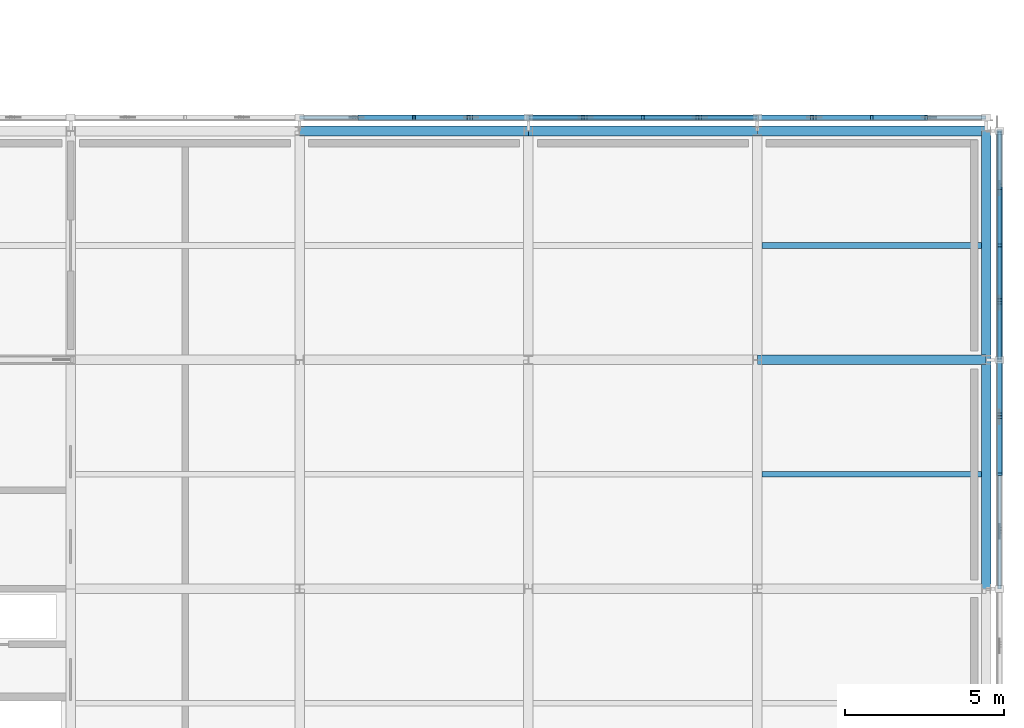
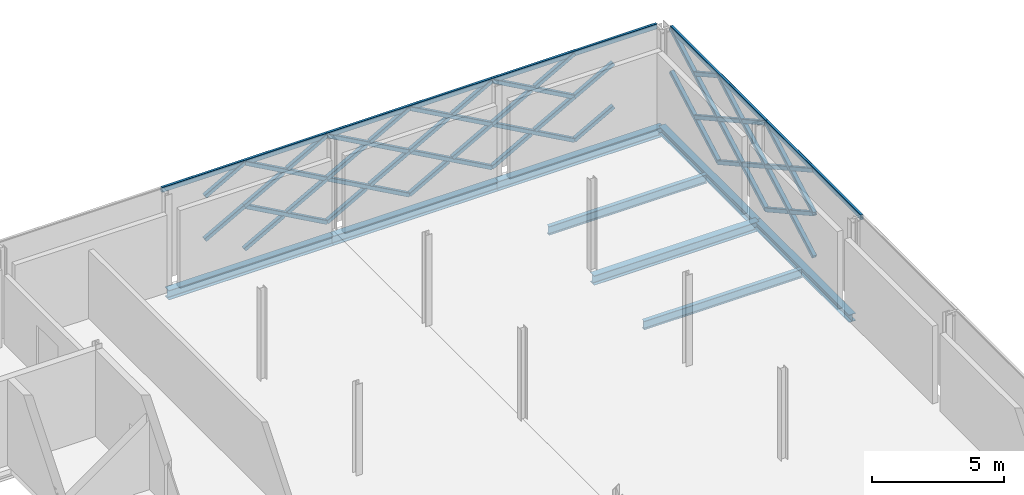
# One storey, part 79 of 146: 49 members, 8 beams.
"""IFC4 building model written with IfcOpenShell, lengths in metres."""

from ifc_helpers import new_model, si_unit, direction, frame, origin, origin_2d, place, context, subcontext, project, spatial, hollow_rectangle, i_section, extrude, material, material_profile, profile_set, type_object, element, save


model = new_model("IFC4")

# Units and contexts
model_context = context("Model", 3, precision=1e-05, world=origin(), true_north=direction((0.0, 1.0)))
body_context = subcontext(model_context, "Body", "Model", "MODEL_VIEW")
ifc_project = project(units=[si_unit("LENGTHUNIT", "METRE"), si_unit("AREAUNIT", "SQUARE_METRE"), si_unit("VOLUMEUNIT", "CUBIC_METRE"), si_unit("PLANEANGLEUNIT", "RADIAN"), si_unit("MASSUNIT", "GRAM", prefix="KILO")], contexts=[model_context])

# Site, building, storey
site_placement = place(None, origin())
site = spatial("IfcSite", under=ifc_project, at=site_placement, CompositionType="ELEMENT")
building_placement = place(site_placement, origin())
building = spatial("IfcBuilding", under=site, at=building_placement, Name="Zlatovets Crest Museum", CompositionType="ELEMENT")
storey_placement = place(building_placement, frame((0.0, 0.0, 4.5)))
storey = spatial("IfcBuildingStorey", under=building, at=storey_placement, Name="L01", CompositionType="ELEMENT", Elevation=4.5)

# Beams
ifc_material_1 = material(Name="Structural steel S355J2", Category="steel")
ifc_material_profile_1 = material_profile(ifc_material_1, i_section(OverallWidth=0.300048828125, OverallDepth=0.35009765625, WebThickness=0.010009765625, FlangeThickness=0.017578125, FilletRadius=0.027099609375, at=origin_2d()), Name="HEA 360")
ifc_profile_set_1 = profile_set([ifc_material_profile_1], Name="Structural steel S355J2")
beam_type_1 = type_object("IfcBeamType", Name="Beam_B-03", PredefinedType="BEAM", material=ifc_profile_set_1)
beam_1_placement = place(storey_placement, frame((165.60009765625, 86.39990234375, -0.39501953125), z_axis=(0.0, 1.0, 0.0), x_axis=(-1.0, 0.0, 0.0)))
element("IfcBeam", 1, at=beam_1_placement, inside=storey, type_object=beam_type_1, Name="V5 L01 Grid Beam B-03", PredefinedType="BEAM", context=body_context, shape_type="SweptSolid", body=[
    extrude(i_section(OverallWidth=0.300048828125, OverallDepth=0.35009765625, WebThickness=0.010009765625, FlangeThickness=0.017578125, FilletRadius=0.027099609375, at=origin_2d()), origin(), (0.0, 0.0, 1.0), 7.2001953125),
])
beam_2_placement = place(storey_placement, frame((165.60009765625, 93.60009765625, -0.39501953125), z_axis=(0.0, 1.0, 0.0), x_axis=(-1.0, 0.0, 0.0)))
element("IfcBeam", 2, at=beam_2_placement, inside=storey, type_object=beam_type_1, Name="V5 L01 Grid Beam B-03", PredefinedType="BEAM", context=body_context, shape_type="SweptSolid", body=[
    extrude(i_section(OverallWidth=0.300048828125, OverallDepth=0.35009765625, WebThickness=0.010009765625, FlangeThickness=0.017578125, FilletRadius=0.027099609375, at=origin_2d()), origin(), (0.0, 0.0, 1.0), 7.199951171875),
])
ifc_material_profile_2 = material_profile(ifc_material_1, i_section(OverallWidth=0.300048828125, OverallDepth=0.43994140625, WebThickness=0.011474609375, FlangeThickness=0.02099609375, FilletRadius=0.027099609375, at=origin_2d()), Name="HEA 450")
ifc_profile_set_2 = profile_set([ifc_material_profile_2], Name="Structural steel S355J2")
beam_type_2 = type_object("IfcBeamType", Name="Beam_B-10", PredefinedType="BEAM", material=ifc_profile_set_2)
beam_3_placement = place(storey_placement, frame((158.39990234375, 93.60009765625, -0.43994140625), z_axis=(1.0, 0.0, 0.0), x_axis=(0.0, 1.0, 0.0)))
element("IfcBeam", 3, at=beam_3_placement, inside=storey, type_object=beam_type_2, Name="V5 L01 Primary Girder B-10", PredefinedType="BEAM", context=body_context, shape_type="SweptSolid", body=[
    extrude(i_section(OverallWidth=0.300048828125, OverallDepth=0.43994140625, WebThickness=0.011474609375, FlangeThickness=0.02099609375, FilletRadius=0.027099609375, at=origin_2d()), origin(), (0.0, 0.0, 1.0), 7.2001953125),
])
for number, where, z_axis, x_axis, name in (
    (4, (144.0, 100.800048828125, -0.43994140625), (1.0, 0.0, 0.0), (0.0, 1.0, 0.0), "V5 L01 Primary Girder B-10"),
    (5, (151.199951171875, 100.800048828125, -0.43994140625), (1.0, 0.0, 0.0), (0.0, 1.0, 0.0), "V5 L01 Primary Girder B-10"),
):
    element("IfcBeam", number, at=place(storey_placement, frame(where, z_axis=z_axis, x_axis=x_axis)), inside=storey, type_object=beam_type_2, Name=name, PredefinedType="BEAM", context=body_context, shape_type="SweptSolid", body=[
        extrude(i_section(OverallWidth=0.300048828125, OverallDepth=0.43994140625, WebThickness=0.011474609375, FlangeThickness=0.02099609375, FilletRadius=0.027099609375, at=origin_2d()), origin(), (0.0, 0.0, 1.0), 7.199951171875),
    ])
beam_4_placement = place(storey_placement, frame((158.39990234375, 100.800048828125, -0.43994140625), z_axis=(1.0, 0.0, 0.0), x_axis=(0.0, 1.0, 0.0)))
element("IfcBeam", 6, at=beam_4_placement, inside=storey, type_object=beam_type_2, Name="V5 L01 Primary Girder B-10", PredefinedType="BEAM", context=body_context, shape_type="SweptSolid", body=[
    extrude(i_section(OverallWidth=0.300048828125, OverallDepth=0.43994140625, WebThickness=0.011474609375, FlangeThickness=0.02099609375, FilletRadius=0.027099609375, at=origin_2d()), origin(), (0.0, 0.0, 1.0), 7.2001953125),
])
ifc_material_profile_3 = material_profile(ifc_material_1, i_section(OverallWidth=0.179931640625, OverallDepth=0.39990234375, WebThickness=0.008544921875, FlangeThickness=0.013427734375, FilletRadius=0.02099609375, at=origin_2d()), Name="IPE 400")
ifc_profile_set_3 = profile_set([ifc_material_profile_3], Name="Structural steel S355J2")
beam_type_3 = type_object("IfcBeamType", Name="Beam_J-04", PredefinedType="JOIST", material=ifc_profile_set_3)
for number, where, z_axis, x_axis, name in (
    (7, (158.550048828125, 90.0, -0.419921875), (1.0, 0.0, 0.0), (0.0, 1.0, 0.0), "V5 L01 Composite Joist J-04"),
    (8, (158.550048828125, 97.199951171875, -0.419921875), (1.0, 0.0, 0.0), (0.0, 1.0, 0.0), "V5 L01 Composite Joist J-04"),
):
    element("IfcBeam", number, at=place(storey_placement, frame(where, z_axis=z_axis, x_axis=x_axis)), inside=storey, type_object=beam_type_3, Name=name, PredefinedType="JOIST", context=body_context, shape_type="SweptSolid", body=[
        extrude(i_section(OverallWidth=0.179931640625, OverallDepth=0.39990234375, WebThickness=0.008544921875, FlangeThickness=0.013427734375, FilletRadius=0.02099609375, at=origin_2d()), origin(), (0.0, 0.0, 1.0), 6.89990234375),
    ])

# Members
ifc_material_2 = material(Name="Weathering bronze-steel S355J2W", Category="steel")
ifc_material_profile_4 = material_profile(ifc_material_2, hollow_rectangle(XDim=0.179931640625, YDim=0.179931640625, WallThickness=0.010009765625, InnerFilletRadius=0.010009765625, OuterFilletRadius=0.02001953125, at=origin_2d()), Name="SHS 180x180x10.0")
ifc_profile_set_4 = profile_set([ifc_material_profile_4], Name="Weathering bronze-steel S355J2W")
member_type_1 = type_object("IfcMemberType", Name="Lattice_XL-01", PredefinedType="BRACE", material=ifc_profile_set_4)
member_1_placement = place(storey_placement, frame((166.02001953125, 90.0, 0.10009765625), z_axis=(0.0, 0.874162868644, 0.485632864501), x_axis=(-1.0, 0.0, 0.0)))
element("IfcMember", 9, at=member_1_placement, inside=storey, type_object=member_type_1, Name="Continuous Bronze Lattice Diagonal", PredefinedType="BRACE", context=body_context, shape_type="SweptSolid", body=[
    extrude(hollow_rectangle(XDim=0.179931640625, YDim=0.179931640625, WallThickness=0.010009765625, InnerFilletRadius=0.010009765625, OuterFilletRadius=0.02001953125, at=origin_2d()), origin(), (0.0, 0.0, 1.0), 4.118408203125),
])
member_2_placement = place(storey_placement, frame((166.02001953125, 90.0, 2.10009765625), z_axis=(0.0, 0.874116234569, -0.48571679862), x_axis=(-1.0, 0.0, 0.0)))
element("IfcMember", 10, at=member_2_placement, inside=storey, type_object=member_type_1, Name="Split Crossing Bronze Lattice Diagonal Upper", PredefinedType="BRACE", context=body_context, shape_type="SweptSolid", body=[
    extrude(hollow_rectangle(XDim=0.179931640625, YDim=0.179931640625, WallThickness=0.010009765625, InnerFilletRadius=0.010009765625, OuterFilletRadius=0.02001953125, at=origin_2d()), origin(), (0.0, 0.0, 1.0), 1.96435546875),
])
member_3_placement = place(storey_placement, frame((166.02001953125, 91.883056640625, 1.053955078125), z_axis=(0.0, 0.874169001841, -0.485621824284), x_axis=(-1.0, 0.0, 0.0)))
element("IfcMember", 11, at=member_3_placement, inside=storey, type_object=member_type_1, Name="Split Crossing Bronze Lattice Diagonal Lower", PredefinedType="BRACE", context=body_context, shape_type="SweptSolid", body=[
    extrude(hollow_rectangle(XDim=0.179931640625, YDim=0.179931640625, WallThickness=0.010009765625, InnerFilletRadius=0.010009765625, OuterFilletRadius=0.02001953125, at=origin_2d()), origin(), (0.0, 0.0, 1.0), 1.964111328125),
])
member_4_placement = place(storey_placement, frame((166.02001953125, 90.0, 2.10009765625), z_axis=(0.0, 0.874162868644, 0.485632864501), x_axis=(-1.0, 0.0, 0.0)))
element("IfcMember", 12, at=member_4_placement, inside=storey, type_object=member_type_1, Name="Continuous Bronze Lattice Diagonal", PredefinedType="BRACE", context=body_context, shape_type="SweptSolid", body=[
    extrude(hollow_rectangle(XDim=0.179931640625, YDim=0.179931640625, WallThickness=0.010009765625, InnerFilletRadius=0.010009765625, OuterFilletRadius=0.02001953125, at=origin_2d()), origin(), (0.0, 0.0, 1.0), 4.118408203125),
])
member_5_placement = place(storey_placement, frame((166.02001953125, 90.0, 4.10009765625), z_axis=(0.0, 0.874116234569, -0.48571679862), x_axis=(-1.0, 0.0, 0.0)))
element("IfcMember", 13, at=member_5_placement, inside=storey, type_object=member_type_1, Name="Split Crossing Bronze Lattice Diagonal Upper", PredefinedType="BRACE", context=body_context, shape_type="SweptSolid", body=[
    extrude(hollow_rectangle(XDim=0.179931640625, YDim=0.179931640625, WallThickness=0.010009765625, InnerFilletRadius=0.010009765625, OuterFilletRadius=0.02001953125, at=origin_2d()), origin(), (0.0, 0.0, 1.0), 1.96435546875),
])
member_6_placement = place(storey_placement, frame((166.02001953125, 91.883056640625, 3.053955078125), z_axis=(0.0, 0.874169001841, -0.485621824284), x_axis=(-1.0, 0.0, 0.0)))
element("IfcMember", 14, at=member_6_placement, inside=storey, type_object=member_type_1, Name="Split Crossing Bronze Lattice Diagonal Lower", PredefinedType="BRACE", context=body_context, shape_type="SweptSolid", body=[
    extrude(hollow_rectangle(XDim=0.179931640625, YDim=0.179931640625, WallThickness=0.010009765625, InnerFilletRadius=0.010009765625, OuterFilletRadius=0.02001953125, at=origin_2d()), origin(), (0.0, 0.0, 1.0), 1.964111328125),
])
member_7_placement = place(storey_placement, frame((166.02001953125, 93.60009765625, 0.10009765625), z_axis=(0.0, 0.874148886685, 0.485658031857), x_axis=(-1.0, 0.0, 0.0)))
element("IfcMember", 15, at=member_7_placement, inside=storey, type_object=member_type_1, Name="Continuous Bronze Lattice Diagonal", PredefinedType="BRACE", context=body_context, shape_type="SweptSolid", body=[
    extrude(hollow_rectangle(XDim=0.179931640625, YDim=0.179931640625, WallThickness=0.010009765625, InnerFilletRadius=0.010009765625, OuterFilletRadius=0.02001953125, at=origin_2d()), origin(), (0.0, 0.0, 1.0), 4.1181640625),
])
for number, where, z_axis, x_axis, name in (
    (16, (166.02001953125, 93.60009765625, 2.10009765625), (0.0, 0.874086907708, -0.485769572713), (-1.0, 0.0, 0.0), "Split Crossing Bronze Lattice Diagonal Upper"),
    (17, (166.02001953125, 95.48291015625, 1.053955078125), (0.0, 0.874169001841, -0.485621824284), (-1.0, 0.0, 0.0), "Split Crossing Bronze Lattice Diagonal Lower"),
):
    element("IfcMember", number, at=place(storey_placement, frame(where, z_axis=z_axis, x_axis=x_axis)), inside=storey, type_object=member_type_1, Name=name, PredefinedType="BRACE", context=body_context, shape_type="SweptSolid", body=[
        extrude(hollow_rectangle(XDim=0.179931640625, YDim=0.179931640625, WallThickness=0.010009765625, InnerFilletRadius=0.010009765625, OuterFilletRadius=0.02001953125, at=origin_2d()), origin(), (0.0, 0.0, 1.0), 1.964111328125),
    ])
member_8_placement = place(storey_placement, frame((166.02001953125, 97.199951171875, 0.10009765625), z_axis=(0.0, 0.874162868644, 0.485632864501), x_axis=(-1.0, 0.0, 0.0)))
element("IfcMember", 18, at=member_8_placement, inside=storey, type_object=member_type_1, Name="Continuous Bronze Lattice Diagonal", PredefinedType="BRACE", context=body_context, shape_type="SweptSolid", body=[
    extrude(hollow_rectangle(XDim=0.179931640625, YDim=0.179931640625, WallThickness=0.010009765625, InnerFilletRadius=0.010009765625, OuterFilletRadius=0.02001953125, at=origin_2d()), origin(), (0.0, 0.0, 1.0), 4.118408203125),
])
member_9_placement = place(storey_placement, frame((166.02001953125, 97.199951171875, 2.10009765625), z_axis=(0.0, 0.874116234569, -0.48571679862), x_axis=(-1.0, 0.0, 0.0)))
element("IfcMember", 19, at=member_9_placement, inside=storey, type_object=member_type_1, Name="Split Crossing Bronze Lattice Diagonal Upper", PredefinedType="BRACE", context=body_context, shape_type="SweptSolid", body=[
    extrude(hollow_rectangle(XDim=0.179931640625, YDim=0.179931640625, WallThickness=0.010009765625, InnerFilletRadius=0.010009765625, OuterFilletRadius=0.02001953125, at=origin_2d()), origin(), (0.0, 0.0, 1.0), 1.96435546875),
])
member_10_placement = place(storey_placement, frame((166.02001953125, 93.60009765625, 2.10009765625), z_axis=(0.0, 0.874148886685, 0.485658031857), x_axis=(-1.0, 0.0, 0.0)))
element("IfcMember", 20, at=member_10_placement, inside=storey, type_object=member_type_1, Name="Continuous Bronze Lattice Diagonal", PredefinedType="BRACE", context=body_context, shape_type="SweptSolid", body=[
    extrude(hollow_rectangle(XDim=0.179931640625, YDim=0.179931640625, WallThickness=0.010009765625, InnerFilletRadius=0.010009765625, OuterFilletRadius=0.02001953125, at=origin_2d()), origin(), (0.0, 0.0, 1.0), 4.1181640625),
])
for number, where, z_axis, x_axis, name in (
    (21, (166.02001953125, 93.60009765625, 4.10009765625), (0.0, 0.874086907708, -0.485769572713), (-1.0, 0.0, 0.0), "Split Crossing Bronze Lattice Diagonal Upper"),
    (22, (166.02001953125, 95.48291015625, 3.053955078125), (0.0, 0.874169001841, -0.485621824284), (-1.0, 0.0, 0.0), "Split Crossing Bronze Lattice Diagonal Lower"),
):
    element("IfcMember", number, at=place(storey_placement, frame(where, z_axis=z_axis, x_axis=x_axis)), inside=storey, type_object=member_type_1, Name=name, PredefinedType="BRACE", context=body_context, shape_type="SweptSolid", body=[
        extrude(hollow_rectangle(XDim=0.179931640625, YDim=0.179931640625, WallThickness=0.010009765625, InnerFilletRadius=0.010009765625, OuterFilletRadius=0.02001953125, at=origin_2d()), origin(), (0.0, 0.0, 1.0), 1.964111328125),
    ])
member_11_placement = place(storey_placement, frame((166.02001953125, 97.199951171875, 2.10009765625), z_axis=(0.0, 0.874162868644, 0.485632864501), x_axis=(-1.0, 0.0, 0.0)))
element("IfcMember", 23, at=member_11_placement, inside=storey, type_object=member_type_1, Name="Continuous Bronze Lattice Diagonal", PredefinedType="BRACE", context=body_context, shape_type="SweptSolid", body=[
    extrude(hollow_rectangle(XDim=0.179931640625, YDim=0.179931640625, WallThickness=0.010009765625, InnerFilletRadius=0.010009765625, OuterFilletRadius=0.02001953125, at=origin_2d()), origin(), (0.0, 0.0, 1.0), 4.118408203125),
])
member_12_placement = place(storey_placement, frame((166.02001953125, 97.199951171875, 4.10009765625), z_axis=(0.0, 0.874116234569, -0.48571679862), x_axis=(-1.0, 0.0, 0.0)))
element("IfcMember", 24, at=member_12_placement, inside=storey, type_object=member_type_1, Name="Split Crossing Bronze Lattice Diagonal Upper", PredefinedType="BRACE", context=body_context, shape_type="SweptSolid", body=[
    extrude(hollow_rectangle(XDim=0.179931640625, YDim=0.179931640625, WallThickness=0.010009765625, InnerFilletRadius=0.010009765625, OuterFilletRadius=0.02001953125, at=origin_2d()), origin(), (0.0, 0.0, 1.0), 1.96435546875),
])
member_13_placement = place(storey_placement, frame((163.717041015625, 101.219970703125, 1.053955078125), z_axis=(-0.874169001841, 0.0, -0.485621824284), x_axis=(0.0, -1.0, 0.0)))
element("IfcMember", 25, at=member_13_placement, inside=storey, type_object=member_type_1, Name="Split Crossing Bronze Lattice Diagonal Lower", PredefinedType="BRACE", context=body_context, shape_type="SweptSolid", body=[
    extrude(hollow_rectangle(XDim=0.179931640625, YDim=0.179931640625, WallThickness=0.010009765625, InnerFilletRadius=0.010009765625, OuterFilletRadius=0.02001953125, at=origin_2d()), origin(), (0.0, 0.0, 1.0), 1.964111328125),
])
member_14_placement = place(storey_placement, frame((162.0, 101.219970703125, 0.10009765625), z_axis=(-0.874162868644, 0.0, 0.485632864501), x_axis=(0.0, -1.0, 0.0)))
element("IfcMember", 26, at=member_14_placement, inside=storey, type_object=member_type_1, Name="Continuous Bronze Lattice Diagonal", PredefinedType="BRACE", context=body_context, shape_type="SweptSolid", body=[
    extrude(hollow_rectangle(XDim=0.179931640625, YDim=0.179931640625, WallThickness=0.010009765625, InnerFilletRadius=0.010009765625, OuterFilletRadius=0.02001953125, at=origin_2d()), origin(), (0.0, 0.0, 1.0), 4.118408203125),
])
member_15_placement = place(storey_placement, frame((162.0, 101.219970703125, 2.10009765625), z_axis=(-0.874116234569, 0.0, -0.48571679862), x_axis=(0.0, -1.0, 0.0)))
element("IfcMember", 27, at=member_15_placement, inside=storey, type_object=member_type_1, Name="Split Crossing Bronze Lattice Diagonal Upper", PredefinedType="BRACE", context=body_context, shape_type="SweptSolid", body=[
    extrude(hollow_rectangle(XDim=0.179931640625, YDim=0.179931640625, WallThickness=0.010009765625, InnerFilletRadius=0.010009765625, OuterFilletRadius=0.02001953125, at=origin_2d()), origin(), (0.0, 0.0, 1.0), 1.96435546875),
])
for number, where, z_axis, x_axis, name in (
    (28, (160.116943359375, 101.219970703125, 1.053955078125), (-0.874169001841, 0.0, -0.485621824284), (0.0, -1.0, 0.0), "Split Crossing Bronze Lattice Diagonal Lower"),
    (29, (163.717041015625, 101.219970703125, 3.053955078125), (-0.874169001841, 0.0, -0.485621824284), (0.0, -1.0, 0.0), "Split Crossing Bronze Lattice Diagonal Lower"),
):
    element("IfcMember", number, at=place(storey_placement, frame(where, z_axis=z_axis, x_axis=x_axis)), inside=storey, type_object=member_type_1, Name=name, PredefinedType="BRACE", context=body_context, shape_type="SweptSolid", body=[
        extrude(hollow_rectangle(XDim=0.179931640625, YDim=0.179931640625, WallThickness=0.010009765625, InnerFilletRadius=0.010009765625, OuterFilletRadius=0.02001953125, at=origin_2d()), origin(), (0.0, 0.0, 1.0), 1.964111328125),
    ])
member_16_placement = place(storey_placement, frame((162.0, 101.219970703125, 2.10009765625), z_axis=(-0.874162868644, 0.0, 0.485632864501), x_axis=(0.0, -1.0, 0.0)))
element("IfcMember", 30, at=member_16_placement, inside=storey, type_object=member_type_1, Name="Continuous Bronze Lattice Diagonal", PredefinedType="BRACE", context=body_context, shape_type="SweptSolid", body=[
    extrude(hollow_rectangle(XDim=0.179931640625, YDim=0.179931640625, WallThickness=0.010009765625, InnerFilletRadius=0.010009765625, OuterFilletRadius=0.02001953125, at=origin_2d()), origin(), (0.0, 0.0, 1.0), 4.118408203125),
])
member_17_placement = place(storey_placement, frame((162.0, 101.219970703125, 4.10009765625), z_axis=(-0.874116234569, 0.0, -0.48571679862), x_axis=(0.0, -1.0, 0.0)))
element("IfcMember", 31, at=member_17_placement, inside=storey, type_object=member_type_1, Name="Split Crossing Bronze Lattice Diagonal Upper", PredefinedType="BRACE", context=body_context, shape_type="SweptSolid", body=[
    extrude(hollow_rectangle(XDim=0.179931640625, YDim=0.179931640625, WallThickness=0.010009765625, InnerFilletRadius=0.010009765625, OuterFilletRadius=0.02001953125, at=origin_2d()), origin(), (0.0, 0.0, 1.0), 1.96435546875),
])
member_18_placement = place(storey_placement, frame((160.116943359375, 101.219970703125, 3.053955078125), z_axis=(-0.874169001841, 0.0, -0.485621824284), x_axis=(0.0, -1.0, 0.0)))
element("IfcMember", 32, at=member_18_placement, inside=storey, type_object=member_type_1, Name="Split Crossing Bronze Lattice Diagonal Lower", PredefinedType="BRACE", context=body_context, shape_type="SweptSolid", body=[
    extrude(hollow_rectangle(XDim=0.179931640625, YDim=0.179931640625, WallThickness=0.010009765625, InnerFilletRadius=0.010009765625, OuterFilletRadius=0.02001953125, at=origin_2d()), origin(), (0.0, 0.0, 1.0), 1.964111328125),
])
member_19_placement = place(storey_placement, frame((158.39990234375, 101.219970703125, 0.10009765625), z_axis=(-0.874148886685, 0.0, 0.485658031857), x_axis=(0.0, -1.0, 0.0)))
element("IfcMember", 33, at=member_19_placement, inside=storey, type_object=member_type_1, Name="Continuous Bronze Lattice Diagonal", PredefinedType="BRACE", context=body_context, shape_type="SweptSolid", body=[
    extrude(hollow_rectangle(XDim=0.179931640625, YDim=0.179931640625, WallThickness=0.010009765625, InnerFilletRadius=0.010009765625, OuterFilletRadius=0.02001953125, at=origin_2d()), origin(), (0.0, 0.0, 1.0), 4.1181640625),
])
for number, where, z_axis, x_axis, name in (
    (34, (158.39990234375, 101.219970703125, 2.10009765625), (-0.874086907708, 0.0, -0.485769572713), (0.0, -1.0, 0.0), "Split Crossing Bronze Lattice Diagonal Upper"),
    (35, (156.51708984375, 101.219970703125, 1.053955078125), (-0.874169001841, 0.0, -0.485621824284), (0.0, -1.0, 0.0), "Split Crossing Bronze Lattice Diagonal Lower"),
):
    element("IfcMember", number, at=place(storey_placement, frame(where, z_axis=z_axis, x_axis=x_axis)), inside=storey, type_object=member_type_1, Name=name, PredefinedType="BRACE", context=body_context, shape_type="SweptSolid", body=[
        extrude(hollow_rectangle(XDim=0.179931640625, YDim=0.179931640625, WallThickness=0.010009765625, InnerFilletRadius=0.010009765625, OuterFilletRadius=0.02001953125, at=origin_2d()), origin(), (0.0, 0.0, 1.0), 1.964111328125),
    ])
member_20_placement = place(storey_placement, frame((154.800048828125, 101.219970703125, 0.10009765625), z_axis=(-0.874162868644, 0.0, 0.485632864501), x_axis=(0.0, -1.0, 0.0)))
element("IfcMember", 36, at=member_20_placement, inside=storey, type_object=member_type_1, Name="Continuous Bronze Lattice Diagonal", PredefinedType="BRACE", context=body_context, shape_type="SweptSolid", body=[
    extrude(hollow_rectangle(XDim=0.179931640625, YDim=0.179931640625, WallThickness=0.010009765625, InnerFilletRadius=0.010009765625, OuterFilletRadius=0.02001953125, at=origin_2d()), origin(), (0.0, 0.0, 1.0), 4.118408203125),
])
member_21_placement = place(storey_placement, frame((154.800048828125, 101.219970703125, 2.10009765625), z_axis=(-0.874116234569, 0.0, -0.48571679862), x_axis=(0.0, -1.0, 0.0)))
element("IfcMember", 37, at=member_21_placement, inside=storey, type_object=member_type_1, Name="Split Crossing Bronze Lattice Diagonal Upper", PredefinedType="BRACE", context=body_context, shape_type="SweptSolid", body=[
    extrude(hollow_rectangle(XDim=0.179931640625, YDim=0.179931640625, WallThickness=0.010009765625, InnerFilletRadius=0.010009765625, OuterFilletRadius=0.02001953125, at=origin_2d()), origin(), (0.0, 0.0, 1.0), 1.96435546875),
])
member_22_placement = place(storey_placement, frame((152.9169921875, 101.219970703125, 1.053955078125), z_axis=(-0.874169001841, 0.0, -0.485621824284), x_axis=(0.0, -1.0, 0.0)))
element("IfcMember", 38, at=member_22_placement, inside=storey, type_object=member_type_1, Name="Split Crossing Bronze Lattice Diagonal Lower", PredefinedType="BRACE", context=body_context, shape_type="SweptSolid", body=[
    extrude(hollow_rectangle(XDim=0.179931640625, YDim=0.179931640625, WallThickness=0.010009765625, InnerFilletRadius=0.010009765625, OuterFilletRadius=0.02001953125, at=origin_2d()), origin(), (0.0, 0.0, 1.0), 1.964111328125),
])
member_23_placement = place(storey_placement, frame((158.39990234375, 101.219970703125, 2.10009765625), z_axis=(-0.874148886685, 0.0, 0.485658031857), x_axis=(0.0, -1.0, 0.0)))
element("IfcMember", 39, at=member_23_placement, inside=storey, type_object=member_type_1, Name="Continuous Bronze Lattice Diagonal", PredefinedType="BRACE", context=body_context, shape_type="SweptSolid", body=[
    extrude(hollow_rectangle(XDim=0.179931640625, YDim=0.179931640625, WallThickness=0.010009765625, InnerFilletRadius=0.010009765625, OuterFilletRadius=0.02001953125, at=origin_2d()), origin(), (0.0, 0.0, 1.0), 4.1181640625),
])
for number, where, z_axis, x_axis, name in (
    (40, (158.39990234375, 101.219970703125, 4.10009765625), (-0.874086907708, 0.0, -0.485769572713), (0.0, -1.0, 0.0), "Split Crossing Bronze Lattice Diagonal Upper"),
    (41, (156.51708984375, 101.219970703125, 3.053955078125), (-0.874169001841, 0.0, -0.485621824284), (0.0, -1.0, 0.0), "Split Crossing Bronze Lattice Diagonal Lower"),
):
    element("IfcMember", number, at=place(storey_placement, frame(where, z_axis=z_axis, x_axis=x_axis)), inside=storey, type_object=member_type_1, Name=name, PredefinedType="BRACE", context=body_context, shape_type="SweptSolid", body=[
        extrude(hollow_rectangle(XDim=0.179931640625, YDim=0.179931640625, WallThickness=0.010009765625, InnerFilletRadius=0.010009765625, OuterFilletRadius=0.02001953125, at=origin_2d()), origin(), (0.0, 0.0, 1.0), 1.964111328125),
    ])
member_24_placement = place(storey_placement, frame((154.800048828125, 101.219970703125, 2.10009765625), z_axis=(-0.874162868644, 0.0, 0.485632864501), x_axis=(0.0, -1.0, 0.0)))
element("IfcMember", 42, at=member_24_placement, inside=storey, type_object=member_type_1, Name="Continuous Bronze Lattice Diagonal", PredefinedType="BRACE", context=body_context, shape_type="SweptSolid", body=[
    extrude(hollow_rectangle(XDim=0.179931640625, YDim=0.179931640625, WallThickness=0.010009765625, InnerFilletRadius=0.010009765625, OuterFilletRadius=0.02001953125, at=origin_2d()), origin(), (0.0, 0.0, 1.0), 4.118408203125),
])
member_25_placement = place(storey_placement, frame((154.800048828125, 101.219970703125, 4.10009765625), z_axis=(-0.874116234569, 0.0, -0.48571679862), x_axis=(0.0, -1.0, 0.0)))
element("IfcMember", 43, at=member_25_placement, inside=storey, type_object=member_type_1, Name="Split Crossing Bronze Lattice Diagonal Upper", PredefinedType="BRACE", context=body_context, shape_type="SweptSolid", body=[
    extrude(hollow_rectangle(XDim=0.179931640625, YDim=0.179931640625, WallThickness=0.010009765625, InnerFilletRadius=0.010009765625, OuterFilletRadius=0.02001953125, at=origin_2d()), origin(), (0.0, 0.0, 1.0), 1.96435546875),
])
member_26_placement = place(storey_placement, frame((152.9169921875, 101.219970703125, 3.053955078125), z_axis=(-0.874169001841, 0.0, -0.485621824284), x_axis=(0.0, -1.0, 0.0)))
element("IfcMember", 44, at=member_26_placement, inside=storey, type_object=member_type_1, Name="Split Crossing Bronze Lattice Diagonal Lower", PredefinedType="BRACE", context=body_context, shape_type="SweptSolid", body=[
    extrude(hollow_rectangle(XDim=0.179931640625, YDim=0.179931640625, WallThickness=0.010009765625, InnerFilletRadius=0.010009765625, OuterFilletRadius=0.02001953125, at=origin_2d()), origin(), (0.0, 0.0, 1.0), 1.964111328125),
])
member_27_placement = place(storey_placement, frame((151.199951171875, 101.219970703125, 0.10009765625), z_axis=(-0.874148886685, 0.0, 0.485658031857), x_axis=(0.0, -1.0, 0.0)))
element("IfcMember", 45, at=member_27_placement, inside=storey, type_object=member_type_1, Name="Continuous Bronze Lattice Diagonal", PredefinedType="BRACE", context=body_context, shape_type="SweptSolid", body=[
    extrude(hollow_rectangle(XDim=0.179931640625, YDim=0.179931640625, WallThickness=0.010009765625, InnerFilletRadius=0.010009765625, OuterFilletRadius=0.02001953125, at=origin_2d()), origin(), (0.0, 0.0, 1.0), 4.1181640625),
])
member_28_placement = place(storey_placement, frame((151.199951171875, 101.219970703125, 2.10009765625), z_axis=(-0.874116234569, 0.0, -0.48571679862), x_axis=(0.0, -1.0, 0.0)))
element("IfcMember", 46, at=member_28_placement, inside=storey, type_object=member_type_1, Name="Split Crossing Bronze Lattice Diagonal Upper", PredefinedType="BRACE", context=body_context, shape_type="SweptSolid", body=[
    extrude(hollow_rectangle(XDim=0.179931640625, YDim=0.179931640625, WallThickness=0.010009765625, InnerFilletRadius=0.010009765625, OuterFilletRadius=0.02001953125, at=origin_2d()), origin(), (0.0, 0.0, 1.0), 1.96435546875),
])
member_29_placement = place(storey_placement, frame((149.31689453125, 101.219970703125, 1.053955078125), z_axis=(-0.874139684676, 0.0, -0.48567459443), x_axis=(0.0, -1.0, 0.0)))
element("IfcMember", 47, at=member_29_placement, inside=storey, type_object=member_type_1, Name="Split Crossing Bronze Lattice Diagonal Lower", PredefinedType="BRACE", context=body_context, shape_type="SweptSolid", body=[
    extrude(hollow_rectangle(XDim=0.179931640625, YDim=0.179931640625, WallThickness=0.010009765625, InnerFilletRadius=0.010009765625, OuterFilletRadius=0.02001953125, at=origin_2d()), origin(), (0.0, 0.0, 1.0), 1.9638671875),
])
member_30_placement = place(storey_placement, frame((147.60009765625, 101.219970703125, 2.10009765625), z_axis=(-0.874116234569, 0.0, -0.48571679862), x_axis=(0.0, -1.0, 0.0)))
element("IfcMember", 48, at=member_30_placement, inside=storey, type_object=member_type_1, Name="Split Crossing Bronze Lattice Diagonal Upper", PredefinedType="BRACE", context=body_context, shape_type="SweptSolid", body=[
    extrude(hollow_rectangle(XDim=0.179931640625, YDim=0.179931640625, WallThickness=0.010009765625, InnerFilletRadius=0.010009765625, OuterFilletRadius=0.02001953125, at=origin_2d()), origin(), (0.0, 0.0, 1.0), 1.96435546875),
])
member_31_placement = place(storey_placement, frame((151.199951171875, 101.219970703125, 2.10009765625), z_axis=(-0.874148886685, 0.0, 0.485658031857), x_axis=(0.0, -1.0, 0.0)))
element("IfcMember", 49, at=member_31_placement, inside=storey, type_object=member_type_1, Name="Continuous Bronze Lattice Diagonal", PredefinedType="BRACE", context=body_context, shape_type="SweptSolid", body=[
    extrude(hollow_rectangle(XDim=0.179931640625, YDim=0.179931640625, WallThickness=0.010009765625, InnerFilletRadius=0.010009765625, OuterFilletRadius=0.02001953125, at=origin_2d()), origin(), (0.0, 0.0, 1.0), 4.1181640625),
])
member_32_placement = place(storey_placement, frame((151.199951171875, 101.219970703125, 4.10009765625), z_axis=(-0.874116234569, 0.0, -0.48571679862), x_axis=(0.0, -1.0, 0.0)))
element("IfcMember", 50, at=member_32_placement, inside=storey, type_object=member_type_1, Name="Split Crossing Bronze Lattice Diagonal Upper", PredefinedType="BRACE", context=body_context, shape_type="SweptSolid", body=[
    extrude(hollow_rectangle(XDim=0.179931640625, YDim=0.179931640625, WallThickness=0.010009765625, InnerFilletRadius=0.010009765625, OuterFilletRadius=0.02001953125, at=origin_2d()), origin(), (0.0, 0.0, 1.0), 1.96435546875),
])
member_33_placement = place(storey_placement, frame((149.31689453125, 101.219970703125, 3.053955078125), z_axis=(-0.874139684676, 0.0, -0.48567459443), x_axis=(0.0, -1.0, 0.0)))
element("IfcMember", 51, at=member_33_placement, inside=storey, type_object=member_type_1, Name="Split Crossing Bronze Lattice Diagonal Lower", PredefinedType="BRACE", context=body_context, shape_type="SweptSolid", body=[
    extrude(hollow_rectangle(XDim=0.179931640625, YDim=0.179931640625, WallThickness=0.010009765625, InnerFilletRadius=0.010009765625, OuterFilletRadius=0.02001953125, at=origin_2d()), origin(), (0.0, 0.0, 1.0), 1.9638671875),
])
member_34_placement = place(storey_placement, frame((147.60009765625, 101.219970703125, 4.10009765625), z_axis=(-0.874116234569, 0.0, -0.48571679862), x_axis=(0.0, -1.0, 0.0)))
element("IfcMember", 52, at=member_34_placement, inside=storey, type_object=member_type_1, Name="Split Crossing Bronze Lattice Diagonal Upper", PredefinedType="BRACE", context=body_context, shape_type="SweptSolid", body=[
    extrude(hollow_rectangle(XDim=0.179931640625, YDim=0.179931640625, WallThickness=0.010009765625, InnerFilletRadius=0.010009765625, OuterFilletRadius=0.02001953125, at=origin_2d()), origin(), (0.0, 0.0, 1.0), 1.96435546875),
])
ifc_material_profile_5 = material_profile(ifc_material_2, hollow_rectangle(XDim=0.1201171875, YDim=0.239990234375, WallThickness=0.010009765625, InnerFilletRadius=0.010009765625, OuterFilletRadius=0.02001953125, at=origin_2d()), Name="RHS 120x240x10.0")
ifc_profile_set_5 = profile_set([ifc_material_profile_5], Name="Weathering bronze-steel S355J2W")
member_type_2 = type_object("IfcMemberType", Name="Lattice_XL-04", PredefinedType="CHORD", material=ifc_profile_set_5)
member_35_placement = place(storey_placement, frame((166.02001953125, 86.39990234375, 4.10009765625), z_axis=(0.0, 1.0, 0.0), x_axis=(-1.0, 0.0, 0.0)))
element("IfcMember", 53, at=member_35_placement, inside=storey, type_object=member_type_2, Name="Art Nouveau Woven Cage Collector Ring Chord", PredefinedType="CHORD", context=body_context, shape_type="SweptSolid", body=[
    extrude(hollow_rectangle(XDim=0.1201171875, YDim=0.239990234375, WallThickness=0.010009765625, InnerFilletRadius=0.010009765625, OuterFilletRadius=0.02001953125, at=origin_2d()), origin(), (0.0, 0.0, 1.0), 7.2001953125),
])
member_36_placement = place(storey_placement, frame((166.02001953125, 93.60009765625, 4.10009765625), z_axis=(0.0, 1.0, 0.0), x_axis=(-1.0, 0.0, 0.0)))
element("IfcMember", 54, at=member_36_placement, inside=storey, type_object=member_type_2, Name="Art Nouveau Woven Cage Collector Ring Chord", PredefinedType="CHORD", context=body_context, shape_type="SweptSolid", body=[
    extrude(hollow_rectangle(XDim=0.1201171875, YDim=0.239990234375, WallThickness=0.010009765625, InnerFilletRadius=0.010009765625, OuterFilletRadius=0.02001953125, at=origin_2d()), origin(), (0.0, 0.0, 1.0), 7.199951171875),
])
member_37_placement = place(storey_placement, frame((165.60009765625, 101.219970703125, 4.10009765625), z_axis=(-1.0, 0.0, 0.0), x_axis=(0.0, -1.0, 0.0)))
element("IfcMember", 55, at=member_37_placement, inside=storey, type_object=member_type_2, Name="Art Nouveau Woven Cage Collector Ring Chord", PredefinedType="CHORD", context=body_context, shape_type="SweptSolid", body=[
    extrude(hollow_rectangle(XDim=0.1201171875, YDim=0.239990234375, WallThickness=0.010009765625, InnerFilletRadius=0.010009765625, OuterFilletRadius=0.02001953125, at=origin_2d()), origin(), (0.0, 0.0, 1.0), 7.2001953125),
])
for number, where, z_axis, x_axis, name in (
    (56, (158.39990234375, 101.219970703125, 4.10009765625), (-1.0, 0.0, 0.0), (0.0, -1.0, 0.0), "Art Nouveau Woven Cage Collector Ring Chord"),
    (57, (151.199951171875, 101.219970703125, 4.10009765625), (-1.0, 0.0, 0.0), (0.0, -1.0, 0.0), "Art Nouveau Woven Cage Collector Ring Chord"),
):
    element("IfcMember", number, at=place(storey_placement, frame(where, z_axis=z_axis, x_axis=x_axis)), inside=storey, type_object=member_type_2, Name=name, PredefinedType="CHORD", context=body_context, shape_type="SweptSolid", body=[
        extrude(hollow_rectangle(XDim=0.1201171875, YDim=0.239990234375, WallThickness=0.010009765625, InnerFilletRadius=0.010009765625, OuterFilletRadius=0.02001953125, at=origin_2d()), origin(), (0.0, 0.0, 1.0), 7.199951171875),
    ])

save(model, "model.ifc")
